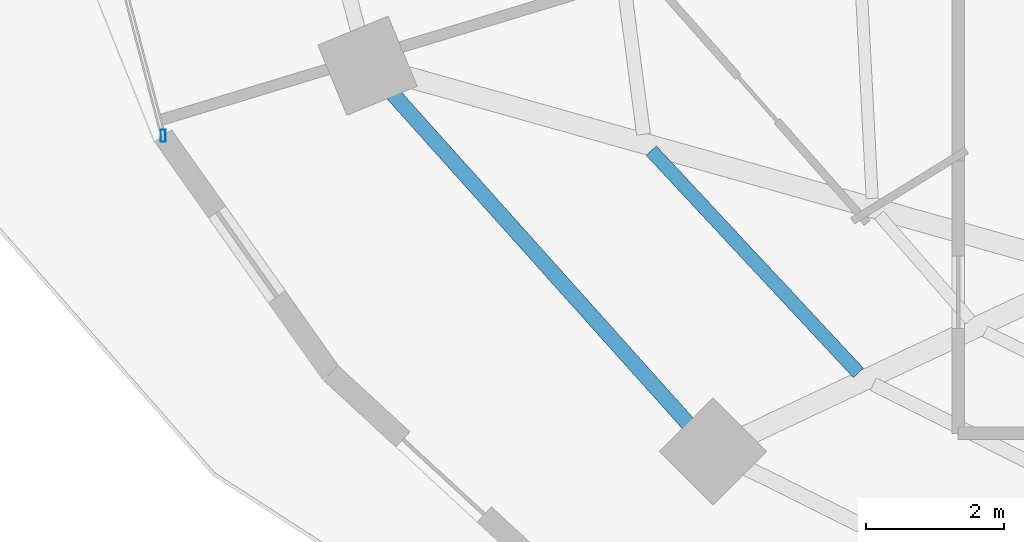
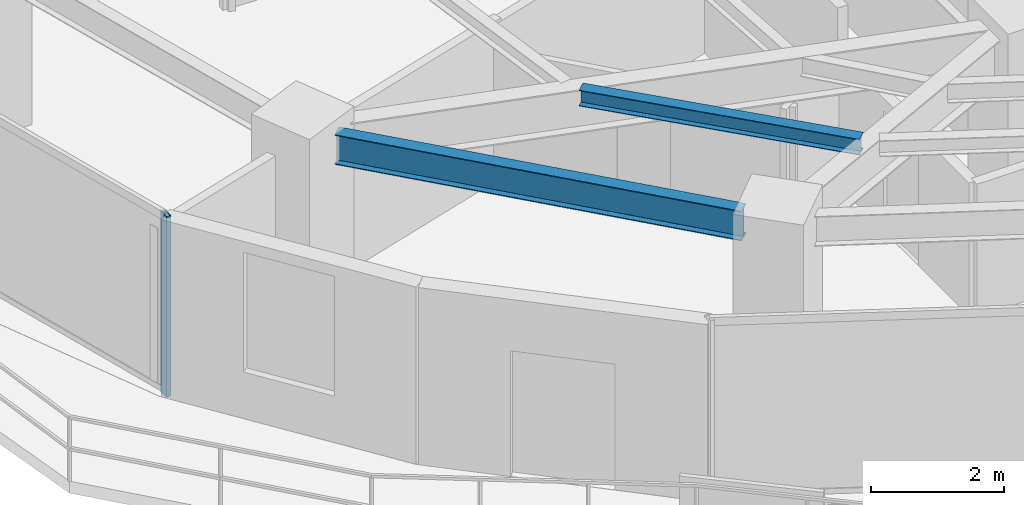
# One storey, part 3 of 29: 2 beams, 1 member, 1 element without a shape of its own.
"""IFC4 building model written with IfcOpenShell, lengths in metres."""

from ifc_helpers import new_model, si_unit, direction, frame, origin, origin_2d, place, context, subcontext, project, spatial, hollow_rectangle, i_section, extrude, material, material_profile, profile_set, type_object, element, aggregate, save


model = new_model("IFC4")

# Units and contexts
model_context = context("Model", 3, precision=1e-05, world=origin(), true_north=direction((0.0, 1.0)))
body_context = subcontext(model_context, "Body", "Model", "MODEL_VIEW")
ifc_project = project(units=[si_unit("LENGTHUNIT", "METRE"), si_unit("AREAUNIT", "SQUARE_METRE"), si_unit("VOLUMEUNIT", "CUBIC_METRE"), si_unit("PLANEANGLEUNIT", "RADIAN"), si_unit("MASSUNIT", "GRAM", prefix="KILO")], contexts=[model_context])

# Site, building, storey
site_placement = place(None, origin())
site = spatial("IfcSite", under=ifc_project, at=site_placement, CompositionType="ELEMENT")
building_placement = place(site_placement, origin())
building = spatial("IfcBuilding", under=site, at=building_placement, Name="Vorneva Point Tower", CompositionType="ELEMENT")
storey_placement = place(building_placement, frame((0.0, 0.0, 117.300048828125)))
storey = spatial("IfcBuildingStorey", under=building, at=storey_placement, Name="L31", CompositionType="ELEMENT", Elevation=117.300048828125)

# Beams
ifc_material_1 = material(Name="Steel S355", Category="steel")
ifc_material_profile_1 = material_profile(ifc_material_1, i_section(OverallWidth=0.199951171875, OverallDepth=0.291015625, WebThickness=0.008056640625, FlangeThickness=0.010986328125, at=origin_2d()), Name="30Sh1")
ifc_profile_set_1 = profile_set([ifc_material_profile_1], Name="Steel S355")
beam_type_1 = type_object("IfcBeamType", Name="BM-SEC-30Sh1", PredefinedType="BEAM", material=ifc_profile_set_1)
beam_1_placement = place(storey_placement, frame((20.80859375, 18.1884765625, 3.094482421875), z_axis=(0.681868844323, -0.731474455564, 0.0), x_axis=(0.731474455564, 0.681868844323, 0.0)))
element("IfcBeam", 1, at=beam_1_placement, inside=storey, type_object=beam_type_1, Name="L31 Secondary Floor Beam 1.10", PredefinedType="BEAM", context=body_context, shape_type="SweptSolid", body=[
    extrude(i_section(OverallWidth=0.199951171875, OverallDepth=0.291015625, WebThickness=0.008056640625, FlangeThickness=0.010986328125, at=origin_2d()), origin(), (0.0, 0.0, 1.0), 4.39501953125),
])
ifc_material_profile_2 = material_profile(ifc_material_1, i_section(OverallWidth=0.219970703125, OverallDepth=0.54296875, WebThickness=0.009521484375, FlangeThickness=0.013427734375, at=origin_2d()), Name="55B1")
ifc_profile_set_2 = profile_set([ifc_material_profile_2], Name="Steel S355")
beam_type_2 = type_object("IfcBeamType", Name="BM-SPN-55B1", PredefinedType="SPANDREL", material=ifc_profile_set_2)
beam_2_placement = place(storey_placement, frame((17.0615234375, 19.019287109375, 2.968505859375), z_axis=(0.667073815664, -0.744991627105, 0.0), x_axis=(0.744991627105, 0.667073815664, 0.0)))
element("IfcBeam", 2, at=beam_2_placement, inside=storey, type_object=beam_type_2, Name="L31 Perimeter Spandrel Ring Beam 10", PredefinedType="SPANDREL", context=body_context, shape_type="SweptSolid", body=[
    extrude(i_section(OverallWidth=0.219970703125, OverallDepth=0.54296875, WebThickness=0.009521484375, FlangeThickness=0.013427734375, at=origin_2d()), origin(), (0.0, 0.0, 1.0), 6.420166015625),
])

# Curtain wall, member
ifc_material_2 = material(Name="Pale anodised aluminium", Category="aluminium")
curtain_wall_type = type_object("IfcCurtainWallType", Name="CW-HTL-SYS", PredefinedType="NOTDEFINED", material=ifc_material_2)
curtain_wall_placement = place(storey_placement, origin())
curtain_wall = element("IfcCurtainWall", 3, at=curtain_wall_placement, inside=storey, type_object=curtain_wall_type, Name="L31 Unitised Curtain Wall CW-L31-R02", PredefinedType="NOTDEFINED")
ifc_material_profile_3 = material_profile(ifc_material_2, hollow_rectangle(XDim=0.074951171875, YDim=0.179931640625, WallThickness=0.00390625, at=origin_2d()), Name="AL-MUL 180x75x4")
ifc_profile_set_3 = profile_set([ifc_material_profile_3], Name="Pale anodised aluminium")
member_type = type_object("IfcMemberType", Name="CW-MUL-180", PredefinedType="MULLION", material=ifc_profile_set_3)
member_placement = place(storey_placement, frame((13.748291015625, 18.40380859375, -0.0400390625), z_axis=(0.0, 0.0, 1.0), x_axis=(1.0, 0.0, 0.0)))
member = element("IfcMember", 4, at=member_placement, type_object=member_type, Name="CW-L31-R02 Mullion 04", PredefinedType="MULLION", context=body_context, shape_type="SweptSolid", body=[
    extrude(hollow_rectangle(XDim=0.074951171875, YDim=0.179931640625, WallThickness=0.00390625, at=origin_2d()), origin(), (0.0, 0.0, 1.0), 3.31005859375),
])
aggregate(curtain_wall, [member])

save(model, "model.ifc")
